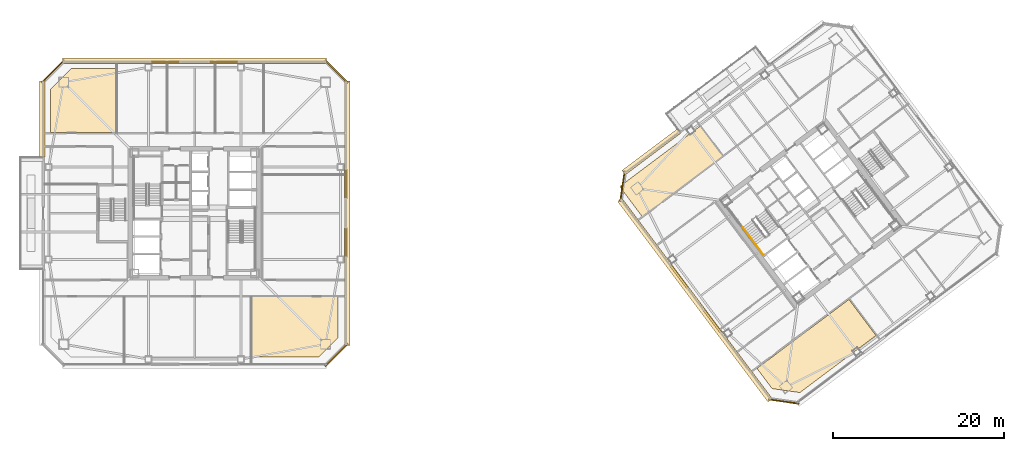
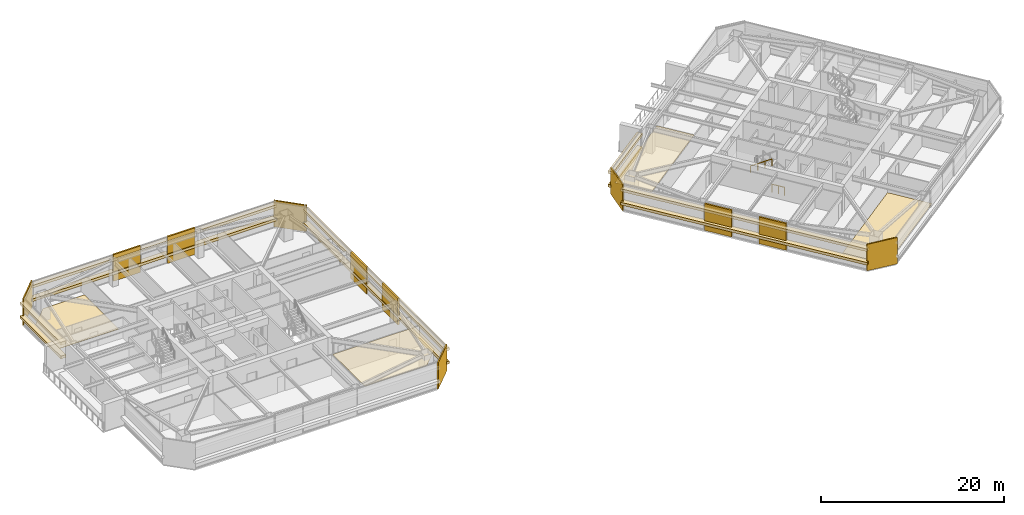
# One storey, part 39 of 43: 25 coverings, 2 railings.
"""IFC4 building model written with IfcOpenShell, lengths in metres."""

from ifc_helpers import new_model, si_unit, direction, frame, origin, origin_2d, place, context, subcontext, project, spatial, polyline, rectangle, outline, extrude, material, layer, layer_set, type_object, element, save


model = new_model("IFC4")

# Units and contexts
model_context = context("Model", 3, precision=1e-05, world=origin(), true_north=direction((0.0, 1.0)))
body_context = subcontext(model_context, "Body", "Model", "MODEL_VIEW")
ifc_project = project(units=[si_unit("LENGTHUNIT", "METRE"), si_unit("AREAUNIT", "SQUARE_METRE"), si_unit("VOLUMEUNIT", "CUBIC_METRE"), si_unit("PLANEANGLEUNIT", "RADIAN"), si_unit("MASSUNIT", "GRAM", prefix="KILO")], contexts=[model_context])

# Site, building, storey
site_placement = place(None, origin())
site = spatial("IfcSite", under=ifc_project, at=site_placement, CompositionType="ELEMENT")
building_placement = place(site_placement, origin())
building = spatial("IfcBuilding", under=site, at=building_placement, Name="Tashvorn Skyway Center", CompositionType="ELEMENT")
storey_placement = place(building_placement, frame((0.0, 0.0, 188.949951171875)))
storey = spatial("IfcBuildingStorey", under=building, at=storey_placement, Name="L51", CompositionType="ELEMENT", Elevation=188.949951171875)

# Coverings
ifc_material_1 = material(Name="Precast concrete C40/50", Category="concrete")
ifc_layer_1 = layer(ifc_material_1, 0.199951171875)
ifc_layer_set_1 = layer_set([ifc_layer_1], Name="Precast concrete C40/50")
covering_type_1 = type_object("IfcCoveringType", Name="COV-BRACE-CLAD", PredefinedType="CLADDING", material=ifc_layer_set_1)
for number, where, z_axis, x_axis, name in (
    (1, (38.582275390625, 49.679931640625, 0.0), (0.0, 0.0, 1.0), (1.0, 0.0, 0.0), "Tower 1 L51 North Unitised Curtain Wall Mega-Brace Cladding Band 1"),
    (2, (45.417724609375, 49.679931640625, 0.0), (0.0, 0.0, 1.0), (1.0, 0.0, 0.0), "Tower 1 L51 North Unitised Curtain Wall Mega-Brace Cladding Band 2"),
    (3, (59.679931640625, 35.417724609375, 0.0), (0.0, 0.0, 1.0), (0.0, -1.0, 0.0), "Tower 1 L51 East Unitised Curtain Wall Mega-Brace Cladding Band 1"),
    (4, (59.679931640625, 28.582275390625, 0.0), (0.0, 0.0, 1.0), (0.0, -1.0, 0.0), "Tower 1 L51 East Unitised Curtain Wall Mega-Brace Cladding Band 2"),
):
    element("IfcCovering", number, at=place(storey_placement, frame(where, z_axis=z_axis, x_axis=x_axis)), inside=storey, type_object=covering_type_1, Name=name, PredefinedType="CLADDING", context=body_context, shape_type="SweptSolid", body=[
        extrude(rectangle(XDim=3.417724609375, YDim=0.199951171875, at=origin_2d()), origin(), (0.0, 0.0, 1.0), 3.550048828125),
    ])
for number, where, z_axis, x_axis, name in (
    (5, (102.52001953125, 19.340087890625, 0.0), (0.0, 0.0, 1.0), (-0.600000004945, 0.799999996291, 0.0), "Tower 2 L51 West Unitised Curtain Wall Mega-Brace Cladding Band 1"),
    (6, (98.632080078125, 24.52392578125, 0.0), (0.0, 0.0, 1.0), (-0.600000004945, 0.799999996291, 0.0), "Tower 2 L51 West Unitised Curtain Wall Mega-Brace Cladding Band 2"),
):
    element("IfcCovering", number, at=place(storey_placement, frame(where, z_axis=z_axis, x_axis=x_axis)), inside=storey, type_object=covering_type_1, Name=name, PredefinedType="CLADDING", context=body_context, shape_type="SweptSolid", body=[
        extrude(rectangle(XDim=3.239990234375, YDim=0.199951171875, at=origin_2d()), origin(), (0.0, 0.0, 1.0), 3.550048828125),
    ])
ifc_material_2 = material(Name="Mineral-fibre acoustic ceiling tile on suspended grid")
ifc_layer_2 = layer(ifc_material_2, 0.02001953125)
ifc_layer_set_2 = layer_set([ifc_layer_2], Name="Mineral-fibre acoustic ceiling tile on suspended grid")
covering_type_2 = type_object("IfcCoveringType", Name="COV-CEIL-20", PredefinedType="CEILING", material=ifc_layer_set_2)
covering_1_placement = place(storey_placement, frame((0.0, 0.0, 2.703125)))
element("IfcCovering", 7, at=covering_1_placement, inside=storey, type_object=covering_type_2, Name="Tower 1 L51 Collaborative Studio Acoustic Ceiling", PredefinedType="CEILING", context=body_context, shape_type="SweptSolid", body=[
    extrude(outline(polyline([(48.719970703125, 15.219970703125), (48.719970703125, 22.239990234375), (58.780029296875, 22.239990234375), (58.780029296875, 17.47998046875), (56.52001953125, 15.219970703125), (48.719970703125, 15.219970703125)])), origin(), (0.0, 0.0, 1.0), 0.02001953125),
])
covering_2_placement = place(storey_placement, frame((0.0, 0.0, 2.703125)))
element("IfcCovering", 8, at=covering_2_placement, inside=storey, type_object=covering_type_2, Name="Tower 2 L51 Operations Control Room Acoustic Ceiling", PredefinedType="CEILING", context=body_context, shape_type="SweptSolid", body=[
    extrude(outline(polyline([(94.318115234375, 31.575927734375), (103.758056640625, 38.656005859375), (101.10009765625, 42.199951171875), (91.659912109375, 35.1201171875), (94.318115234375, 31.575927734375)])), origin(), (0.0, 0.0, 1.0), 0.02001953125),
])
ifc_material_3 = material(Name="Polished Mojave desert-aggregate terrazzo and cover plate")
ifc_layer_3 = layer(ifc_material_3, 0.0400390625)
ifc_layer_set_3 = layer_set([ifc_layer_3], Name="Polished Mojave desert-aggregate terrazzo and cover plate")
covering_type_3 = type_object("IfcCoveringType", Name="COV-FLR-40", PredefinedType="FLOORING", material=ifc_layer_set_3)
covering_3_placement = place(storey_placement, origin())
element("IfcCovering", 9, at=covering_3_placement, inside=storey, type_object=covering_type_3, Name="Tower 1 L51 Research Library Finish Flooring", PredefinedType="FLOORING", context=body_context, shape_type="SweptSolid", body=[
    extrude(outline(polyline([(32.820068359375, 41.429931640625), (25.179931640625, 41.429931640625), (25.179931640625, 46.47998046875), (27.60009765625, 48.89990234375), (32.820068359375, 48.89990234375), (32.820068359375, 41.429931640625)])), origin(), (0.0, 0.0, 1.0), 0.0400390625),
])
covering_4_placement = place(storey_placement, origin())
element("IfcCovering", 10, at=covering_4_placement, inside=storey, type_object=covering_type_3, Name="Tower 2 L51 Operations Control Room Finish Flooring", PredefinedType="FLOORING", context=body_context, shape_type="SweptSolid", body=[
    extrude(outline(polyline([(112.719970703125, 11.0400390625), (109.471923828125, 11.50390625), (107.701904296875, 13.864013671875), (118.4541015625, 21.927978515625), (121.615966796875, 17.7119140625), (112.719970703125, 11.0400390625)])), origin(), (0.0, 0.0, 1.0), 0.0400390625),
])
ifc_material_4 = material(Name="Perforated ceramic-coated bronze aluminium solar screen", Category="aluminium")
ifc_layer_4 = layer(ifc_material_4, 0.85009765625)
ifc_layer_set_4 = layer_set([ifc_layer_4], Name="Perforated ceramic-coated bronze aluminium solar screen")
covering_type_4 = type_object("IfcCoveringType", Name="COV-SOLAR-BAND", PredefinedType="CLADDING", material=ifc_layer_set_4)
for number, where, z_axis, x_axis, name in (
    (11, (24.179931640625, 42.989990234375, 0.919921875), (0.0, 0.0, 1.0), (0.0, 1.0, 0.0), "L51 Perforated Ceramic-Metal Solar Screen Louvre Band West 1"),
    (12, (24.179931640625, 42.989990234375, 2.72021484375), (0.0, 0.0, 1.0), (0.0, 1.0, 0.0), "L51 Perforated Ceramic-Metal Solar Screen Louvre Band West 2"),
):
    element("IfcCovering", number, at=place(storey_placement, frame(where, z_axis=z_axis, x_axis=x_axis)), inside=storey, type_object=covering_type_4, Name=name, PredefinedType="CLADDING", context=body_context, shape_type="SweptSolid", body=[
        extrude(rectangle(XDim=8.89990234375, YDim=0.639892578125, at=origin_2d()), origin(), (0.0, 0.0, 1.0), 0.360107421875),
    ])
for number, where, z_axis, x_axis, name in (
    (13, (42.0, 49.820068359375, 0.919921875), (0.0, 0.0, 1.0), (1.0, 0.0, 0.0), "L51 Perforated Ceramic-Metal Solar Screen Louvre Band North 1"),
    (14, (42.0, 49.820068359375, 2.72021484375), (0.0, 0.0, 1.0), (1.0, 0.0, 0.0), "L51 Perforated Ceramic-Metal Solar Screen Louvre Band North 2"),
    (15, (59.820068359375, 32.0, 0.919921875), (0.0, 0.0, 1.0), (0.0, -1.0, 0.0), "L51 Perforated Ceramic-Metal Solar Screen Louvre Band East 1"),
    (16, (59.820068359375, 32.0, 2.72021484375), (0.0, 0.0, 1.0), (0.0, -1.0, 0.0), "L51 Perforated Ceramic-Metal Solar Screen Louvre Band East 2"),
):
    element("IfcCovering", number, at=place(storey_placement, frame(where, z_axis=z_axis, x_axis=x_axis)), inside=storey, type_object=covering_type_4, Name=name, PredefinedType="CLADDING", context=body_context, shape_type="SweptSolid", body=[
        extrude(rectangle(XDim=30.8798828125, YDim=0.639892578125, at=origin_2d()), origin(), (0.0, 0.0, 1.0), 0.360107421875),
    ])
for number, where, z_axis, x_axis, name in (
    (17, (100.464111328125, 21.847900390625, 0.919921875), (0.0, 0.0, 1.0), (-0.600000004945, 0.799999996291, 0.0), "L51 Perforated Ceramic-Metal Solar Screen Louvre Band West 1"),
    (18, (100.464111328125, 21.847900390625, 2.72021484375), (0.0, 0.0, 1.0), (-0.600000004945, 0.799999996291, 0.0), "L51 Perforated Ceramic-Metal Solar Screen Louvre Band West 2"),
):
    element("IfcCovering", number, at=place(storey_placement, frame(where, z_axis=z_axis, x_axis=x_axis)), inside=storey, type_object=covering_type_4, Name=name, PredefinedType="CLADDING", context=body_context, shape_type="SweptSolid", body=[
        extrude(rectangle(XDim=29.280029296875, YDim=0.639892578125, at=origin_2d()), origin(), (0.0, 0.0, 1.0), 0.360107421875),
    ])
for number, where, z_axis, x_axis, name in (
    (19, (95.3759765625, 39.181884765625, 0.919921875), (0.0, 0.0, 1.0), (0.799999996291, 0.600000004945, 0.0), "L51 Perforated Ceramic-Metal Solar Screen Louvre Band North 1"),
    (20, (95.3759765625, 39.181884765625, 2.72021484375), (0.0, 0.0, 1.0), (0.799999996291, 0.600000004945, 0.0), "L51 Perforated Ceramic-Metal Solar Screen Louvre Band North 2"),
):
    element("IfcCovering", number, at=place(storey_placement, frame(where, z_axis=z_axis, x_axis=x_axis)), inside=storey, type_object=covering_type_4, Name=name, PredefinedType="CLADDING", context=body_context, shape_type="SweptSolid", body=[
        extrude(rectangle(XDim=8.10009765625, YDim=0.639892578125, at=origin_2d()), origin(), (0.0, 0.0, 1.0), 0.360107421875),
    ])
ifc_layer_5 = layer(ifc_material_1, 0.35009765625)
ifc_layer_set_5 = layer_set([ifc_layer_5], Name="Precast concrete C40/50")
covering_type_5 = type_object("IfcCoveringType", Name="COV-STONE-TRIM", PredefinedType="CLADDING", material=ifc_layer_set_5)
for number, where, z_axis, x_axis, name in (
    (21, (25.429931640625, 48.570068359375, 0.02001953125), (0.0, 0.0, 1.0), (-0.707106781187, -0.707106781187, 0.0), "Tower 1 L51 NW Mojave Limestone Corner Quoin"),
    (22, (58.570068359375, 48.570068359375, 0.02001953125), (0.0, 0.0, 1.0), (0.707106781187, -0.707106781187, 0.0), "Tower 1 L51 NE Mojave Limestone Corner Quoin"),
    (23, (58.570068359375, 15.429931640625, 0.02001953125), (0.0, 0.0, 1.0), (0.707106781187, 0.707106781187, 0.0), "Tower 1 L51 SE Mojave Limestone Corner Quoin"),
):
    element("IfcCovering", number, at=place(storey_placement, frame(where, z_axis=z_axis, x_axis=x_axis)), inside=storey, type_object=covering_type_5, Name=name, PredefinedType="CLADDING", context=body_context, shape_type="SweptSolid", body=[
        extrude(rectangle(XDim=3.695556640625, YDim=0.139892578125, at=origin_2d()), origin(), (0.0, 0.0, 1.0), 3.510009765625),
    ])
for number, where, z_axis, x_axis, name in (
    (24, (110.85595703125, 9.991943359375, 0.02001953125), (0.0, 0.0, 1.0), (-0.989949494535, 0.141421350118, 0.0), "Tower 2 L51 SW Mojave Limestone Corner Quoin"),
    (25, (91.991943359375, 35.14404296875, 0.02001953125), (0.0, 0.0, 1.0), (-0.141421350118, -0.989949494535, 0.0), "Tower 2 L51 NW Mojave Limestone Corner Quoin"),
):
    element("IfcCovering", number, at=place(storey_placement, frame(where, z_axis=z_axis, x_axis=x_axis)), inside=storey, type_object=covering_type_5, Name=name, PredefinedType="CLADDING", context=body_context, shape_type="SweptSolid", body=[
        extrude(rectangle(XDim=3.55419921875, YDim=0.139892578125, at=origin_2d()), origin(), (0.0, 0.0, 1.0), 3.510009765625),
    ])

# Railings
ifc_material_5 = material(Name="Brushed stainless steel 316", Category="steel")
railing_type_1 = type_object("IfcRailingType", Name="RAIL-HAND-920", PredefinedType="HANDRAIL", material=ifc_material_5)
railing_1_placement = place(storey_placement, frame((106.072021484375, 30.35400390625, 1.95263671875)))
element("IfcRailing", 26, at=railing_1_placement, inside=storey, type_object=railing_type_1, Name="L51 ST-T2-1 stair handrail 2", PredefinedType="HANDRAIL", context=body_context, shape_type="SweptSolid", body=[
    extrude(rectangle(XDim=0.048095703125, YDim=0.048095703125, at=origin_2d()), frame((0.0, 0.0, 0.8759765625), z_axis=(0.506740800098, -0.675708949977, 0.535379469569), x_axis=(0.800023250257, 0.599968998406, 0.0)), (0.0, 0.0, 1.0), 2.983642578125),
    extrude(rectangle(XDim=0.0419921875, YDim=0.0419921875, at=origin_2d()), origin(), (0.0, 0.0, 1.0), 0.851806640625),
    extrude(rectangle(XDim=0.0419921875, YDim=0.0419921875, at=origin_2d()), frame((0.50390625, -0.672119140625, 0.532470703125)), (0.0, 0.0, 1.0), 0.851806640625),
    extrude(rectangle(XDim=0.0419921875, YDim=0.0419921875, at=origin_2d()), frame((1.008056640625, -1.343994140625, 1.06494140625)), (0.0, 0.0, 1.0), 0.851806640625),
    extrude(rectangle(XDim=0.0419921875, YDim=0.0419921875, at=origin_2d()), frame((1.511962890625, -2.01611328125, 1.597412109375)), (0.0, 0.0, 1.0), 0.851806640625),
])
ifc_material_6 = material(Name="Painted galvanized steel S355", Category="steel")
railing_type_2 = type_object("IfcRailingType", Name="RAIL-STGUARD-1100", PredefinedType="GUARDRAIL", material=ifc_material_6)
railing_2_placement = place(storey_placement, frame((108.49609375, 27.1220703125, 0.0)))
element("IfcRailing", 27, at=railing_2_placement, inside=storey, type_object=railing_type_2, Name="L51 ST-T2-1 stair guard 6", PredefinedType="GUARDRAIL", context=body_context, shape_type="SweptSolid", body=[
    extrude(rectangle(XDim=0.048095703125, YDim=0.048095703125, at=origin_2d()), frame((0.0, 0.0, 1.076171875), z_axis=(-0.600102796382, 0.799922892393, 0.0), x_axis=(-0.799922892393, -0.600102796382, 0.0)), (0.0, 0.0, 1.0), 1.52001953125),
    extrude(rectangle(XDim=0.0419921875, YDim=0.0419921875, at=origin_2d()), origin(), (0.0, 0.0, 1.0), 1.052001953125),
    extrude(rectangle(XDim=0.0419921875, YDim=0.0419921875, at=origin_2d()), frame((-0.4560546875, 0.60791015625, 0.0)), (0.0, 0.0, 1.0), 1.052001953125),
    extrude(rectangle(XDim=0.0419921875, YDim=0.0419921875, at=origin_2d()), frame((-0.912109375, 1.2158203125, 0.0)), (0.0, 0.0, 1.0), 1.052001953125),
])

save(model, "model.ifc")
